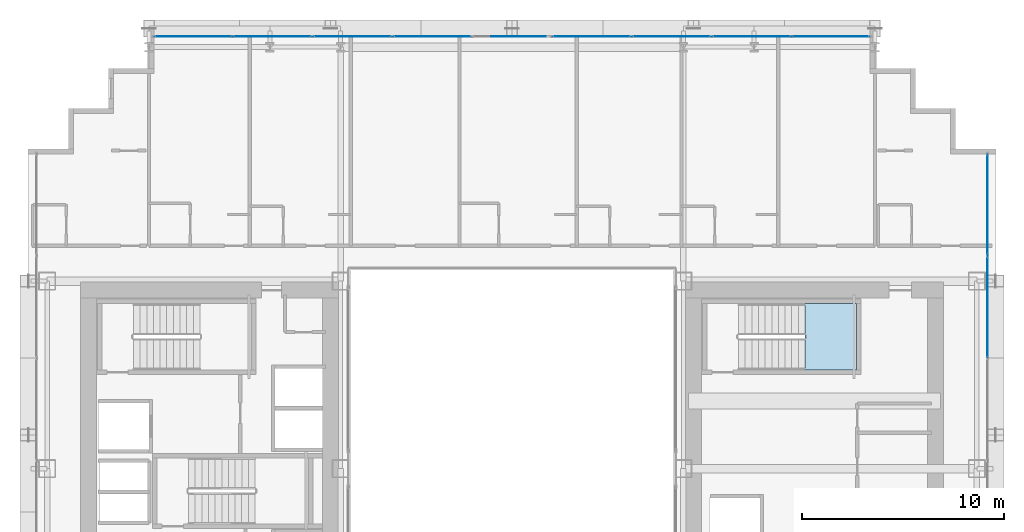
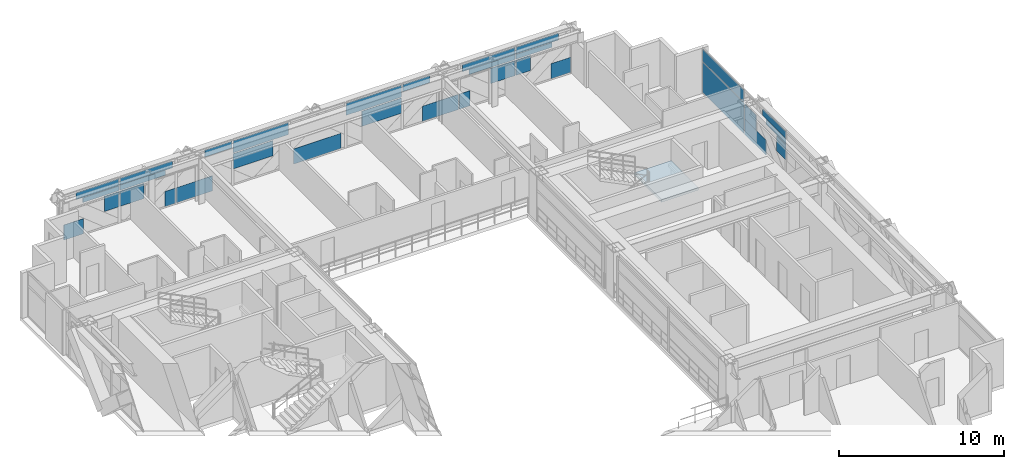
# One storey, part 30 of 41: 32 plates, 1 slab, 3 elements without a shape of their own.
"""IFC4 building model written with IfcOpenShell, lengths in metres."""

from ifc_helpers import new_model, si_unit, direction, frame, origin, origin_2d, place, context, subcontext, project, spatial, polyline, rectangle, outline, extrude, source, transform, mapped, material, layer, layer_set, type_object, element, aggregate, save


model = new_model("IFC4")

# Units and contexts
model_context = context("Model", 3, precision=1e-05, world=origin(), true_north=direction((0.0, 1.0)))
body_context = subcontext(model_context, "Body", "Model", "MODEL_VIEW")
ifc_project = project(units=[si_unit("LENGTHUNIT", "METRE"), si_unit("AREAUNIT", "SQUARE_METRE"), si_unit("VOLUMEUNIT", "CUBIC_METRE"), si_unit("PLANEANGLEUNIT", "RADIAN"), si_unit("MASSUNIT", "GRAM", prefix="KILO")], contexts=[model_context])

# Site, building, storey
site_placement = place(None, origin())
site = spatial("IfcSite", under=ifc_project, at=site_placement, CompositionType="ELEMENT")
building_placement = place(site_placement, origin())
building = spatial("IfcBuilding", under=site, at=building_placement, Name="Ocotamira Hotel", CompositionType="ELEMENT")
storey_placement = place(building_placement, frame((0.0, 0.0, 67.199951171875)))
storey = spatial("IfcBuildingStorey", under=building, at=storey_placement, Name="L16", CompositionType="ELEMENT", Elevation=67.199951171875)

# Stair, slab
ifc_material_1 = material(Name="Concrete C40/50", Category="concrete")
stair_type = type_object("IfcStairType", Name="ST-CORE-1560", PredefinedType="HALF_TURN_STAIR", material=ifc_material_1)
stair_placement = place(storey_placement, origin())
stair = element("IfcStair", 1, at=stair_placement, inside=storey, type_object=stair_type, Name="L16 Exit Stair ST-4", PredefinedType="HALF_TURN_STAIR")
ifc_layer_1 = layer(ifc_material_1, 0.199951171875)
ifc_layer_set_1 = layer_set([ifc_layer_1], Name="Concrete C40/50")
slab_type = type_object("IfcSlabType", Name="SLB-LAND-200", PredefinedType="LANDING", material=ifc_layer_set_1)
slab_placement = place(storey_placement, frame((0.0, 0.0, 1.60009765625)))
slab = element("IfcSlab", 2, at=slab_placement, type_object=slab_type, Name="ST-4 landing 1", PredefinedType="LANDING", context=body_context, shape_type="SweptSolid", body=[
    extrude(outline(polyline([(46.530029296875, 33.050048828125), (49.090087890625, 33.050048828125), (49.090087890625, 36.330078125), (46.530029296875, 36.330078125), (46.530029296875, 33.050048828125)])), origin(), (0.0, 0.0, 1.0), 0.199951171875),
])
aggregate(stair, [slab])

# Curtain wall, plates
ifc_material_2 = material(Name="Anodised pale-metal aluminium and solar glass", Category="aluminium")
ifc_layer_2 = layer(ifc_material_2, 0.179931640625)
ifc_layer_set_2 = layer_set([ifc_layer_2], Name="Anodised pale-metal aluminium and solar glass")
curtain_wall_type = type_object("IfcCurtainWallType", Name="CW-SYS2-Z1", PredefinedType="NOTDEFINED", material=ifc_layer_set_2)
curtain_wall_1_placement = place(storey_placement, origin())
curtain_wall_1 = element("IfcCurtainWall", 3, at=curtain_wall_1_placement, inside=storey, type_object=curtain_wall_type, Name="L16 Curtain Wall CW-2 CW-L16-N", PredefinedType="NOTDEFINED")
ifc_material_3 = material(Name="Double-silver low-E insulated solar glass", Category="glass")
ifc_layer_3 = layer(ifc_material_3, 0.031982421875)
ifc_layer_set_3 = layer_set([ifc_layer_3], Name="Double-silver low-E insulated solar glass")
plate_type = type_object("IfcPlateType", Name="CWP-VISION-32", PredefinedType="CURTAIN_PANEL", material=ifc_layer_set_3)
shared_shape_1 = source(origin(), body_context, "Body", "SweptSolid", [
    extrude(rectangle(XDim=3.87548828125, YDim=0.031982421875, at=origin_2d()), origin(), (0.0, 0.0, 1.0), 0.887451171875),
])
plate_1_placement = place(storey_placement, frame((28.04443359375, 49.580078125, 2.3876953125), z_axis=(0.0, 0.0, 1.0), x_axis=(1.0, 0.0, 0.0)))
plate_1 = element("IfcPlate", 4, at=plate_1_placement, type_object=plate_type, Name="CW-2 panel 4.2", PredefinedType="CURTAIN_PANEL", context=body_context, shape_type="MappedRepresentation", body=[
    mapped(shared_shape_1, transform((0.0, 0.0, 0.0), scale=1.0)),
])
plate_2_placement = place(storey_placement, frame((35.95556640625, 49.580078125, 2.3876953125), z_axis=(0.0, 0.0, 1.0), x_axis=(1.0, 0.0, 0.0)))
plate_2 = element("IfcPlate", 5, at=plate_2_placement, type_object=plate_type, Name="CW-2 panel 6.2", PredefinedType="CURTAIN_PANEL", context=body_context, shape_type="MappedRepresentation", body=[
    mapped(shared_shape_1, transform((0.0, 0.0, 0.0), scale=1.0)),
])

curtain_wall_2_placement = place(storey_placement, origin())
curtain_wall_2 = element("IfcCurtainWall", 6, at=curtain_wall_2_placement, inside=storey, type_object=curtain_wall_type, Name="L16 Curtain Wall CW-2 CW-L16-E", PredefinedType="NOTDEFINED")
shared_shape_2 = source(origin(), body_context, "Body", "SweptSolid", [
    extrude(rectangle(XDim=4.9658203125, YDim=0.031982421875, at=origin_2d()), origin(), (0.0, 0.0, 1.0), 2.237548828125),
])
plate_3_placement = place(storey_placement, frame((55.580078125, 41.237060546875, 0.0751953125), z_axis=(0.0, 0.0, 1.0), x_axis=(0.0, 1.0, 0.0)))
plate_3 = element("IfcPlate", 7, at=plate_3_placement, type_object=plate_type, Name="CW-2 panel 7.1", PredefinedType="CURTAIN_PANEL", context=body_context, shape_type="MappedRepresentation", body=[
    mapped(shared_shape_2, transform((0.0, 0.0, 0.0), scale=1.0)),
])
shared_shape_3 = source(origin(), body_context, "Body", "SweptSolid", [
    extrude(rectangle(XDim=4.9658203125, YDim=0.031982421875, at=origin_2d()), origin(), (0.0, 0.0, 1.0), 0.887451171875),
])
plate_4_placement = place(storey_placement, frame((55.580078125, 41.237060546875, 2.3876953125), z_axis=(0.0, 0.0, 1.0), x_axis=(0.0, 1.0, 0.0)))
plate_4 = element("IfcPlate", 8, at=plate_4_placement, type_object=plate_type, Name="CW-2 panel 7.2", PredefinedType="CURTAIN_PANEL", context=body_context, shape_type="MappedRepresentation", body=[
    mapped(shared_shape_3, transform((0.0, 0.0, 0.0), scale=1.0)),
])

# Plate
shared_shape_4 = source(origin(), body_context, "Body", "SweptSolid", [
    extrude(rectangle(XDim=1.382568359375, YDim=0.031982421875, at=origin_2d()), origin(), (0.0, 0.0, 1.0), 1.11865234375),
])
plate_5_placement = place(storey_placement, frame((14.97119140625, 49.580078125, 0.0751953125), z_axis=(0.0, 0.0, 1.0), x_axis=(1.0, 0.0, 0.0)))
plate_5 = element("IfcPlate", 9, at=plate_5_placement, type_object=plate_type, Name="CW-2 panel 1.1.1", PredefinedType="CURTAIN_PANEL", context=body_context, shape_type="MappedRepresentation", body=[
    mapped(shared_shape_4, transform((0.0, 0.0, 0.0), scale=1.0)),
])

plate_6_placement = place(storey_placement, frame((49.02880859375, 49.580078125, 0.0751953125), z_axis=(0.0, 0.0, 1.0), x_axis=(1.0, 0.0, 0.0)))
plate_6 = element("IfcPlate", 10, at=plate_6_placement, type_object=plate_type, Name="CW-2 panel 9.1.2", PredefinedType="CURTAIN_PANEL", context=body_context, shape_type="MappedRepresentation", body=[
    mapped(shared_shape_4, transform((0.0, 0.0, 0.0), scale=1.0)),
])

shared_shape_5 = source(origin(), body_context, "Body", "SweptSolid", [
    extrude(rectangle(XDim=2.9755859375, YDim=0.031982421875, at=origin_2d()), origin(), (0.0, 0.0, 1.0), 0.5107421875),
])
plate_7_placement = place(storey_placement, frame((16.627685546875, 49.580078125, 2.76416015625), z_axis=(0.0, 0.0, 1.0), x_axis=(1.0, 0.0, 0.0)))
plate_7 = element("IfcPlate", 11, at=plate_7_placement, type_object=plate_type, Name="CW-2 panel 1.2.1", PredefinedType="CURTAIN_PANEL", context=body_context, shape_type="MappedRepresentation", body=[
    mapped(shared_shape_5, transform((0.0, 0.0, 0.0), scale=1.0)),
])

plate_8_placement = place(storey_placement, frame((47.372314453125, 49.580078125, 2.76416015625), z_axis=(0.0, 0.0, 1.0), x_axis=(1.0, 0.0, 0.0)))
plate_8 = element("IfcPlate", 12, at=plate_8_placement, type_object=plate_type, Name="CW-2 panel 9.2.2", PredefinedType="CURTAIN_PANEL", context=body_context, shape_type="MappedRepresentation", body=[
    mapped(shared_shape_5, transform((0.0, 0.0, 0.0), scale=1.0)),
])

shared_shape_6 = source(origin(), body_context, "Body", "SweptSolid", [
    extrude(rectangle(XDim=2.504638671875, YDim=0.031982421875, at=origin_2d()), origin(), (0.0, 0.0, 1.0), 0.345458984375),
])
plate_9_placement = place(storey_placement, frame((16.86328125, 49.580078125, 2.3876953125), z_axis=(0.0, 0.0, 1.0), x_axis=(1.0, 0.0, 0.0)))
plate_9 = element("IfcPlate", 13, at=plate_9_placement, type_object=plate_type, Name="CW-2 panel 1.2.2", PredefinedType="CURTAIN_PANEL", context=body_context, shape_type="MappedRepresentation", body=[
    mapped(shared_shape_6, transform((0.0, 0.0, 0.0), scale=1.0)),
])

plate_10_placement = place(storey_placement, frame((47.13671875, 49.580078125, 2.3876953125), z_axis=(0.0, 0.0, 1.0), x_axis=(1.0, 0.0, 0.0)))
plate_10 = element("IfcPlate", 14, at=plate_10_placement, type_object=plate_type, Name="CW-2 panel 9.2.1", PredefinedType="CURTAIN_PANEL", context=body_context, shape_type="MappedRepresentation", body=[
    mapped(shared_shape_6, transform((0.0, 0.0, 0.0), scale=1.0)),
])

shared_shape_7 = source(origin(), body_context, "Body", "SweptSolid", [
    extrude(rectangle(XDim=0.733642578125, YDim=0.031982421875, at=origin_2d()), origin(), (0.0, 0.0, 1.0), 1.11865234375),
])
plate_11_placement = place(storey_placement, frame((21.704345703125, 49.580078125, 0.0751953125), z_axis=(0.0, 0.0, 1.0), x_axis=(1.0, 0.0, 0.0)))
plate_11 = element("IfcPlate", 15, at=plate_11_placement, type_object=plate_type, Name="CW-2 panel 2.1.2", PredefinedType="CURTAIN_PANEL", context=body_context, shape_type="MappedRepresentation", body=[
    mapped(shared_shape_7, transform((0.0, 0.0, 0.0), scale=1.0)),
])

plate_12_placement = place(storey_placement, frame((42.295654296875, 49.580078125, 0.0751953125), z_axis=(0.0, 0.0, 1.0), x_axis=(1.0, 0.0, 0.0)))
plate_12 = element("IfcPlate", 16, at=plate_12_placement, type_object=plate_type, Name="CW-2 panel 8.1.1", PredefinedType="CURTAIN_PANEL", context=body_context, shape_type="MappedRepresentation", body=[
    mapped(shared_shape_7, transform((0.0, 0.0, 0.0), scale=1.0)),
])

shared_shape_8 = source(origin(), body_context, "Body", "SweptSolid", [
    extrude(rectangle(XDim=3.193603515625, YDim=0.031982421875, at=origin_2d()), origin(), (0.0, 0.0, 1.0), 0.376708984375),
])
plate_13_placement = place(storey_placement, frame((19.792236328125, 49.580078125, 2.3876953125), z_axis=(0.0, 0.0, 1.0), x_axis=(1.0, 0.0, 0.0)))
plate_13 = element("IfcPlate", 17, at=plate_13_placement, type_object=plate_type, Name="CW-2 panel 2.2.1", PredefinedType="CURTAIN_PANEL", context=body_context, shape_type="MappedRepresentation", body=[
    mapped(shared_shape_8, transform((0.0, 0.0, 0.0), scale=1.0)),
])

plate_14_placement = place(storey_placement, frame((44.207763671875, 49.580078125, 2.3876953125), z_axis=(0.0, 0.0, 1.0), x_axis=(1.0, 0.0, 0.0)))
plate_14 = element("IfcPlate", 18, at=plate_14_placement, type_object=plate_type, Name="CW-2 panel 8.2.2", PredefinedType="CURTAIN_PANEL", context=body_context, shape_type="MappedRepresentation", body=[
    mapped(shared_shape_8, transform((0.0, 0.0, 0.0), scale=1.0)),
])

shared_shape_9 = source(origin(), body_context, "Body", "SweptSolid", [
    extrude(rectangle(XDim=3.664306640625, YDim=0.031982421875, at=origin_2d()), origin(), (0.0, 0.0, 1.0), 0.5107421875),
])
plate_15_placement = place(storey_placement, frame((20.027587890625, 49.580078125, 2.76416015625), z_axis=(0.0, 0.0, 1.0), x_axis=(1.0, 0.0, 0.0)))
plate_15 = element("IfcPlate", 19, at=plate_15_placement, type_object=plate_type, Name="CW-2 panel 2.2.2", PredefinedType="CURTAIN_PANEL", context=body_context, shape_type="MappedRepresentation", body=[
    mapped(shared_shape_9, transform((0.0, 0.0, 0.0), scale=1.0)),
])

plate_16_placement = place(storey_placement, frame((43.972412109375, 49.580078125, 2.76416015625), z_axis=(0.0, 0.0, 1.0), x_axis=(1.0, 0.0, 0.0)))
plate_16 = element("IfcPlate", 20, at=plate_16_placement, type_object=plate_type, Name="CW-2 panel 8.2.1", PredefinedType="CURTAIN_PANEL", context=body_context, shape_type="MappedRepresentation", body=[
    mapped(shared_shape_9, transform((0.0, 0.0, 0.0), scale=1.0)),
])

shared_shape_10 = source(origin(), body_context, "Body", "SweptSolid", [
    extrude(rectangle(XDim=2.51123046875, YDim=0.031982421875, at=origin_2d()), origin(), (0.0, 0.0, 1.0), 1.11865234375),
])
plate_17_placement = place(storey_placement, frame((23.40673828125, 49.580078125, 0.0751953125), z_axis=(0.0, 0.0, 1.0), x_axis=(1.0, 0.0, 0.0)))
plate_17 = element("IfcPlate", 21, at=plate_17_placement, type_object=plate_type, Name="CW-2 panel 3.1.1", PredefinedType="CURTAIN_PANEL", context=body_context, shape_type="MappedRepresentation", body=[
    mapped(shared_shape_10, transform((0.0, 0.0, 0.0), scale=1.0)),
])

shared_shape_11 = source(origin(), body_context, "Body", "SweptSolid", [
    extrude(rectangle(XDim=1.88671875, YDim=0.031982421875, at=origin_2d()), origin(), (0.0, 0.0, 1.0), 0.5107421875),
])
plate_18_placement = place(storey_placement, frame((25.08349609375, 49.580078125, 2.76416015625), z_axis=(0.0, 0.0, 1.0), x_axis=(1.0, 0.0, 0.0)))
plate_18 = element("IfcPlate", 22, at=plate_18_placement, type_object=plate_type, Name="CW-2 panel 3.2.1", PredefinedType="CURTAIN_PANEL", context=body_context, shape_type="MappedRepresentation", body=[
    mapped(shared_shape_11, transform((0.0, 0.0, 0.0), scale=1.0)),
])

plate_19_placement = place(storey_placement, frame((38.91650390625, 49.580078125, 2.76416015625), z_axis=(0.0, 0.0, 1.0), x_axis=(1.0, 0.0, 0.0)))
plate_19 = element("IfcPlate", 23, at=plate_19_placement, type_object=plate_type, Name="CW-2 panel 7.2.1", PredefinedType="CURTAIN_PANEL", context=body_context, shape_type="MappedRepresentation", body=[
    mapped(shared_shape_11, transform((0.0, 0.0, 0.0), scale=1.0)),
])

shared_shape_12 = source(origin(), body_context, "Body", "SweptSolid", [
    extrude(rectangle(XDim=3.324951171875, YDim=0.031982421875, at=origin_2d()), origin(), (0.0, 0.0, 1.0), 1.11865234375),
])
plate_20_placement = place(storey_placement, frame((32.0, 49.580078125, 0.0751953125), z_axis=(0.0, 0.0, 1.0), x_axis=(1.0, 0.0, 0.0)))
plate_20 = element("IfcPlate", 24, at=plate_20_placement, type_object=plate_type, Name="CW-2 panel 5.1.1", PredefinedType="CURTAIN_PANEL", context=body_context, shape_type="MappedRepresentation", body=[
    mapped(shared_shape_12, transform((0.0, 0.0, 0.0), scale=1.0)),
])

shared_shape_13 = source(origin(), body_context, "Body", "SweptSolid", [
    extrude(rectangle(XDim=2.511474609375, YDim=0.031982421875, at=origin_2d()), origin(), (0.0, 0.0, 1.0), 1.11865234375),
])
plate_21_placement = place(storey_placement, frame((40.59326171875, 49.580078125, 0.0751953125), z_axis=(0.0, 0.0, 1.0), x_axis=(1.0, 0.0, 0.0)))
plate_21 = element("IfcPlate", 25, at=plate_21_placement, type_object=plate_type, Name="CW-2 panel 7.1.1", PredefinedType="CURTAIN_PANEL", context=body_context, shape_type="MappedRepresentation", body=[
    mapped(shared_shape_13, transform((0.0, 0.0, 0.0), scale=1.0)),
])

shared_shape_14 = source(origin(), body_context, "Body", "SweptSolid", [
    extrude(rectangle(XDim=2.58935546875, YDim=0.031982421875, at=origin_2d()), origin(), (0.0, 0.0, 1.0), 1.11865234375),
])
plate_22_placement = place(storey_placement, frame((55.580078125, 37.379638671875, 0.0751953125), z_axis=(0.0, 0.0, 1.0), x_axis=(0.0, 1.0, 0.0)))
plate_22 = element("IfcPlate", 26, at=plate_22_placement, type_object=plate_type, Name="CW-2 panel 6.1.2", PredefinedType="CURTAIN_PANEL", context=body_context, shape_type="MappedRepresentation", body=[
    mapped(shared_shape_14, transform((0.0, 0.0, 0.0), scale=1.0)),
])

shared_shape_15 = source(origin(), body_context, "Body", "SweptSolid", [
    extrude(rectangle(XDim=2.796630859375, YDim=0.031982421875, at=origin_2d()), origin(), (0.0, 0.0, 1.0), 0.485107421875),
])
plate_23_placement = place(storey_placement, frame((55.580078125, 35.06689453125, 2.7900390625), z_axis=(0.0, 0.0, 1.0), x_axis=(0.0, 1.0, 0.0)))
plate_23 = element("IfcPlate", 27, at=plate_23_placement, type_object=plate_type, Name="CW-2 panel 6.2.2", PredefinedType="CURTAIN_PANEL", context=body_context, shape_type="MappedRepresentation", body=[
    mapped(shared_shape_15, transform((0.0, 0.0, 0.0), scale=1.0)),
])

shared_shape_16 = source(origin(), body_context, "Body", "SweptSolid", [
    extrude(rectangle(XDim=2.3701171875, YDim=0.031982421875, at=origin_2d()), origin(), (0.0, 0.0, 1.0), 0.367919921875),
])
plate_24_placement = place(storey_placement, frame((55.580078125, 34.853759765625, 2.3876953125), z_axis=(0.0, 0.0, 1.0), x_axis=(0.0, 1.0, 0.0)))
plate_24 = element("IfcPlate", 28, at=plate_24_placement, type_object=plate_type, Name="CW-2 panel 6.2.1", PredefinedType="CURTAIN_PANEL", context=body_context, shape_type="MappedRepresentation", body=[
    mapped(shared_shape_16, transform((0.0, 0.0, 0.0), scale=1.0)),
])

shared_shape_17 = source(origin(), body_context, "Body", "SweptSolid", [
    extrude(rectangle(XDim=1.012451171875, YDim=0.031982421875, at=origin_2d()), origin(), (0.0, 0.0, 1.0), 1.118896484375),
])
plate_25_placement = place(storey_placement, frame((17.609375, 49.580078125, 1.19384765625), z_axis=(0.0, 0.0, 1.0), x_axis=(1.0, 0.0, 0.0)))
plate_25 = element("IfcPlate", 29, at=plate_25_placement, type_object=plate_type, Name="CW-2 panel 1.1.2", PredefinedType="CURTAIN_PANEL", context=body_context, shape_type="MappedRepresentation", body=[
    mapped(shared_shape_17, transform((0.0, 0.0, 0.0), scale=1.0)),
])

plate_26_placement = place(storey_placement, frame((46.390625, 49.580078125, 1.19384765625), z_axis=(0.0, 0.0, 1.0), x_axis=(1.0, 0.0, 0.0)))
plate_26 = element("IfcPlate", 30, at=plate_26_placement, type_object=plate_type, Name="CW-2 panel 9.1.1", PredefinedType="CURTAIN_PANEL", context=body_context, shape_type="MappedRepresentation", body=[
    mapped(shared_shape_17, transform((0.0, 0.0, 0.0), scale=1.0)),
])

shared_shape_18 = source(origin(), body_context, "Body", "SweptSolid", [
    extrude(rectangle(XDim=1.701416015625, YDim=0.031982421875, at=origin_2d()), origin(), (0.0, 0.0, 1.0), 1.118896484375),
])
plate_27_placement = place(storey_placement, frame((19.046142578125, 49.580078125, 1.19384765625), z_axis=(0.0, 0.0, 1.0), x_axis=(1.0, 0.0, 0.0)))
plate_27 = element("IfcPlate", 31, at=plate_27_placement, type_object=plate_type, Name="CW-2 panel 2.1.1", PredefinedType="CURTAIN_PANEL", context=body_context, shape_type="MappedRepresentation", body=[
    mapped(shared_shape_18, transform((0.0, 0.0, 0.0), scale=1.0)),
])

plate_28_placement = place(storey_placement, frame((44.953857421875, 49.580078125, 1.19384765625), z_axis=(0.0, 0.0, 1.0), x_axis=(1.0, 0.0, 0.0)))
plate_28 = element("IfcPlate", 32, at=plate_28_placement, type_object=plate_type, Name="CW-2 panel 8.1.2", PredefinedType="CURTAIN_PANEL", context=body_context, shape_type="MappedRepresentation", body=[
    mapped(shared_shape_18, transform((0.0, 0.0, 0.0), scale=1.0)),
])

shared_shape_19 = source(origin(), body_context, "Body", "SweptSolid", [
    extrude(rectangle(XDim=2.790283203125, YDim=0.031982421875, at=origin_2d()), origin(), (0.0, 0.0, 1.0), 1.118896484375),
])
plate_29_placement = place(storey_placement, frame((27.501708984375, 49.580078125, 1.19384765625), z_axis=(0.0, 0.0, 1.0), x_axis=(1.0, 0.0, 0.0)))
plate_29 = element("IfcPlate", 33, at=plate_29_placement, type_object=plate_type, Name="CW-2 panel 4.1.1", PredefinedType="CURTAIN_PANEL", context=body_context, shape_type="MappedRepresentation", body=[
    mapped(shared_shape_19, transform((0.0, 0.0, 0.0), scale=1.0)),
])

plate_30_placement = place(storey_placement, frame((36.498291015625, 49.580078125, 1.19384765625), z_axis=(0.0, 0.0, 1.0), x_axis=(1.0, 0.0, 0.0)))
plate_30 = element("IfcPlate", 34, at=plate_30_placement, type_object=plate_type, Name="CW-2 panel 6.1.1", PredefinedType="CURTAIN_PANEL", context=body_context, shape_type="MappedRepresentation", body=[
    mapped(shared_shape_19, transform((0.0, 0.0, 0.0), scale=1.0)),
])

aggregate(curtain_wall_1, [plate_5, plate_25, plate_7, plate_9, plate_27, plate_11, plate_13, plate_15, plate_17, plate_18, plate_29, plate_1, plate_20, plate_30, plate_2, plate_21, plate_19, plate_12, plate_28, plate_16, plate_14, plate_26, plate_6, plate_10, plate_8])

shared_shape_20 = source(origin(), body_context, "Body", "SweptSolid", [
    extrude(rectangle(XDim=1.4033203125, YDim=0.031982421875, at=origin_2d()), origin(), (0.0, 0.0, 1.0), 1.118896484375),
])
plate_31_placement = place(storey_placement, frame((55.580078125, 37.97265625, 1.19384765625), z_axis=(0.0, 0.0, 1.0), x_axis=(0.0, 1.0, 0.0)))
plate_31 = element("IfcPlate", 35, at=plate_31_placement, type_object=plate_type, Name="CW-2 panel 6.1.3", PredefinedType="CURTAIN_PANEL", context=body_context, shape_type="MappedRepresentation", body=[
    mapped(shared_shape_20, transform((0.0, 0.0, 0.0), scale=1.0)),
])

shared_shape_21 = source(origin(), body_context, "Body", "SweptSolid", [
    extrude(rectangle(XDim=1.104736328125, YDim=0.031982421875, at=origin_2d()), origin(), (0.0, 0.0, 1.0), 1.118896484375),
])
plate_32_placement = place(storey_placement, frame((55.580078125, 34.220947265625, 1.19384765625), z_axis=(0.0, 0.0, 1.0), x_axis=(0.0, 1.0, 0.0)))
plate_32 = element("IfcPlate", 36, at=plate_32_placement, type_object=plate_type, Name="CW-2 panel 6.1.1", PredefinedType="CURTAIN_PANEL", context=body_context, shape_type="MappedRepresentation", body=[
    mapped(shared_shape_21, transform((0.0, 0.0, 0.0), scale=1.0)),
])

aggregate(curtain_wall_2, [plate_32, plate_22, plate_31, plate_24, plate_23, plate_3, plate_4])

save(model, "model.ifc")
